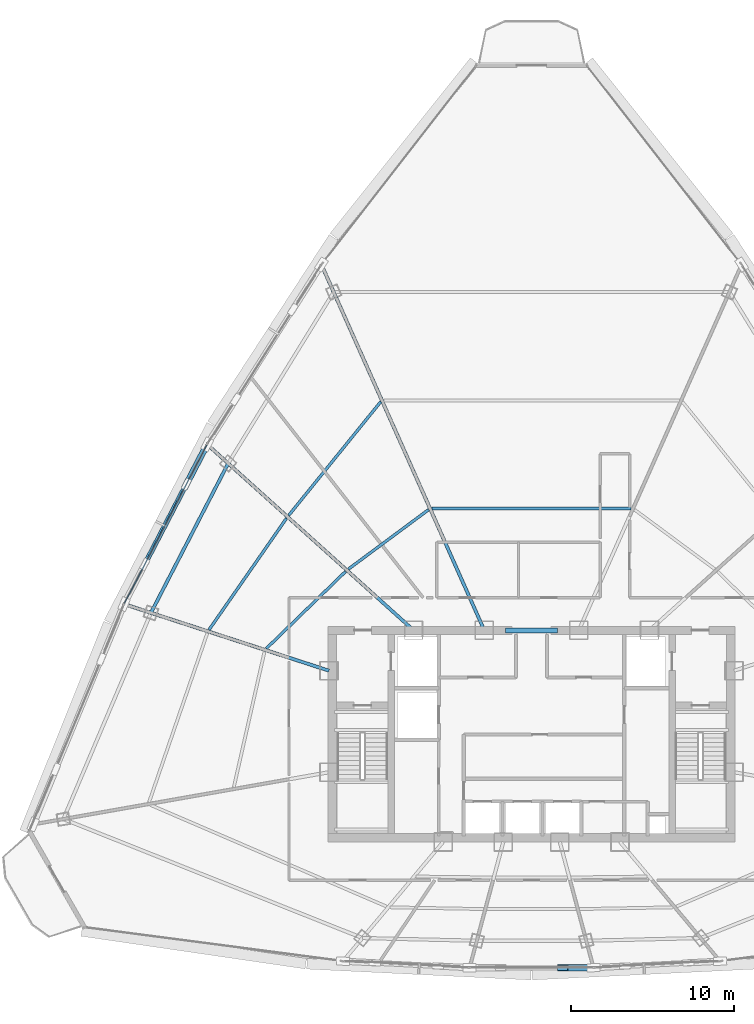
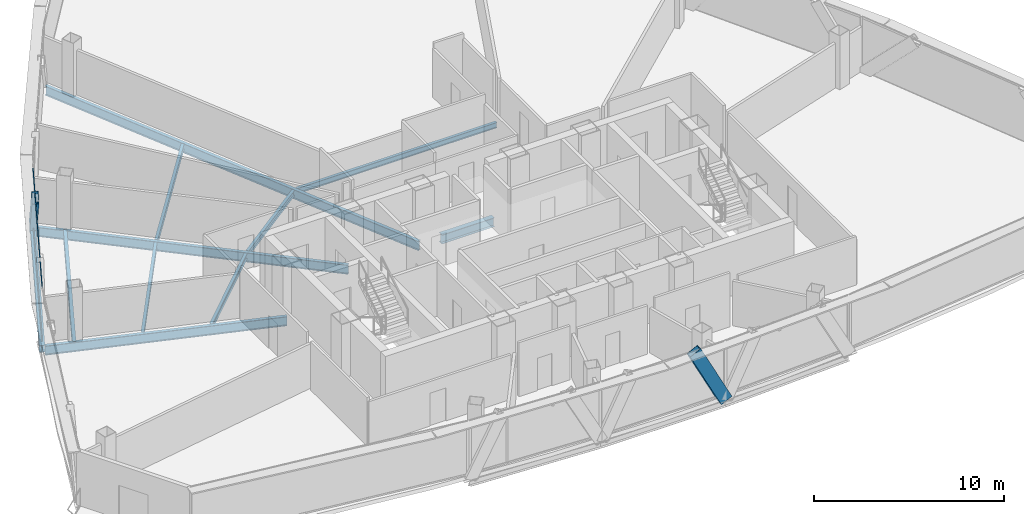
# One storey, part 9 of 35: 11 beams, 4 members, 1 element without a shape of its own.
"""IFC4 building model written with IfcOpenShell, lengths in metres."""

from ifc_helpers import new_model, si_unit, direction, frame, origin, origin_2d, place, context, subcontext, project, spatial, hollow_rectangle, i_section, extrude, source, transform, mapped, material, layer, layer_set, material_profile, profile_set, type_object, element, aggregate, save


model = new_model("IFC4")

# Units and contexts
model_context = context("Model", 3, precision=1e-05, world=origin(), true_north=direction((0.0, 1.0)))
body_context = subcontext(model_context, "Body", "Model", "MODEL_VIEW")
ifc_project = project(units=[si_unit("LENGTHUNIT", "METRE"), si_unit("AREAUNIT", "SQUARE_METRE"), si_unit("VOLUMEUNIT", "CUBIC_METRE"), si_unit("PLANEANGLEUNIT", "RADIAN"), si_unit("MASSUNIT", "GRAM", prefix="KILO"), si_unit("THERMODYNAMICTEMPERATUREUNIT", "KELVIN"), si_unit("POWERUNIT", "WATT")], contexts=[model_context])

# Site, building, storey
site_placement = place(None, origin())
site = spatial("IfcSite", under=ifc_project, at=site_placement, CompositionType="ELEMENT")
building_placement = place(site_placement, origin())
building = spatial("IfcBuilding", under=site, at=building_placement, Name="Yunzhuo Pagoda Commons", CompositionType="ELEMENT")
storey_placement = place(building_placement, frame((0.0, 0.0, 303.669921875)))
storey = spatial("IfcBuildingStorey", under=building, at=storey_placement, Name="L76", CompositionType="ELEMENT", Elevation=303.669921875)

# Beams
ifc_material_1 = material(Name="Structural steel Q420B", Category="steel")
ifc_material_profile_1 = material_profile(ifc_material_1, i_section(OverallWidth=0.300048828125, OverallDepth=0.587890625, WebThickness=0.011962890625, FlangeThickness=0.02001953125, at=origin_2d()), Name="Structural steel Q420B")
ifc_profile_set_1 = profile_set([ifc_material_profile_1], Name="Structural steel Q420B")
beam_type_1 = type_object("IfcBeamType", Name="B-CPL Beam HM 588x300x12x20", PredefinedType="BEAM", material=ifc_profile_set_1)
shared_shape_1 = source(origin(), body_context, "Body", "SweptSolid", [
    extrude(i_section(OverallWidth=0.300048828125, OverallDepth=0.587890625, WebThickness=0.011962890625, FlangeThickness=0.02001953125, at=origin_2d()), origin(), (0.0, 0.0, 1.0), 3.2001953125),
])
beam_1_placement = place(storey_placement, frame((46.39990234375, 40.199951171875, -0.553955078125), z_axis=(1.0, 0.0, 0.0), x_axis=(0.0, 1.0, 0.0)))
element("IfcBeam", 1, at=beam_1_placement, inside=storey, type_object=beam_type_1, Name="L76 core coupling girder", PredefinedType="BEAM", context=body_context, shape_type="MappedRepresentation", body=[
    mapped(shared_shape_1, transform((0.0, 0.0, 0.0), scale=1.0)),
])
ifc_material_2 = material(Name="Structural steel Q355B", Category="steel")
ifc_material_profile_2 = material_profile(ifc_material_2, i_section(OverallWidth=0.199951171875, OverallDepth=0.60009765625, WebThickness=0.010986328125, FlangeThickness=0.01708984375, at=origin_2d()), Name="Structural steel Q355B")
ifc_profile_set_2 = profile_set([ifc_material_profile_2], Name="Structural steel Q355B")
beam_type_2 = type_object("IfcBeamType", Name="B-RG3 Beam HN 600x200x11x17", PredefinedType="BEAM", material=ifc_profile_set_2)
shared_shape_2 = source(origin(), body_context, "Body", "SweptSolid", [
    extrude(i_section(OverallWidth=0.199951171875, OverallDepth=0.60009765625, WebThickness=0.010986328125, FlangeThickness=0.01708984375, at=origin_2d()), origin(), (0.0, 0.0, 1.0), 10.3017578125),
])
beam_2_placement = place(storey_placement, frame((29.4267578125, 50.423583984375, -0.559814453125), z_axis=(-0.459070867827, -0.888399650108, 0.0), x_axis=(0.888399650108, -0.459070867827, 0.0)))
element("IfcBeam", 2, at=beam_2_placement, inside=storey, type_object=beam_type_2, Name="L76 column-ring beam 10", PredefinedType="BEAM", context=body_context, shape_type="MappedRepresentation", body=[
    mapped(shared_shape_2, transform((0.0, 0.0, 0.0), scale=1.0)),
])
ifc_material_profile_3 = material_profile(ifc_material_2, i_section(OverallWidth=0.175048828125, OverallDepth=0.35009765625, WebThickness=0.007080078125, FlangeThickness=0.010986328125, at=origin_2d()), Name="Structural steel Q355B")
ifc_profile_set_3 = profile_set([ifc_material_profile_3], Name="Structural steel Q355B")
beam_type_3 = type_object("IfcBeamType", Name="B-JS2 Joist HN 350x175x7x11", PredefinedType="JOIST", material=ifc_profile_set_3)
shared_shape_3 = source(origin(), body_context, "Body", "SweptSolid", [
    extrude(i_section(OverallWidth=0.175048828125, OverallDepth=0.35009765625, WebThickness=0.007080078125, FlangeThickness=0.010986328125, at=origin_2d()), origin(), (0.0, 0.0, 1.0), 6.767333984375),
])
beam_3_placement = place(storey_placement, frame((36.611083984375, 43.80029296875, -0.434814453125), z_axis=(-0.717207253673, -0.696859925149, 0.0), x_axis=(0.696859925149, -0.717207253673, 0.0)))
element("IfcBeam", 3, at=beam_3_placement, inside=storey, type_object=beam_type_3, Name="L76 composite ring joist 1.10", PredefinedType="JOIST", context=body_context, shape_type="MappedRepresentation", body=[
    mapped(shared_shape_3, transform((0.0, 0.0, 0.0), scale=1.0)),
])
shared_shape_4 = source(origin(), body_context, "Body", "SweptSolid", [
    extrude(i_section(OverallWidth=0.175048828125, OverallDepth=0.35009765625, WebThickness=0.007080078125, FlangeThickness=0.010986328125, at=origin_2d()), origin(), (0.0, 0.0, 1.0), 8.31103515625),
])
beam_4_placement = place(storey_placement, frame((32.994384765625, 47.0576171875, -0.434814453125), z_axis=(-0.570615989364, -0.821217019236, 0.0), x_axis=(0.821217019236, -0.570615989364, 0.0)))
element("IfcBeam", 4, at=beam_4_placement, inside=storey, type_object=beam_type_3, Name="L76 composite ring joist 2.10", PredefinedType="JOIST", context=body_context, shape_type="MappedRepresentation", body=[
    mapped(shared_shape_4, transform((0.0, 0.0, 0.0), scale=1.0)),
])
shared_shape_5 = source(origin(), body_context, "Body", "SweptSolid", [
    extrude(i_section(OverallWidth=0.175048828125, OverallDepth=0.35009765625, WebThickness=0.007080078125, FlangeThickness=0.010986328125, at=origin_2d()), origin(), (0.0, 0.0, 1.0), 6.109619140625),
])
beam_5_placement = place(storey_placement, frame((41.6943359375, 47.5869140625, -0.434814453125), z_axis=(-0.803396474468, -0.595444459888, 0.0), x_axis=(0.595444459888, -0.803396474468, 0.0)))
element("IfcBeam", 5, at=beam_5_placement, inside=storey, type_object=beam_type_3, Name="L76 composite ring joist 1.9", PredefinedType="JOIST", context=body_context, shape_type="MappedRepresentation", body=[
    mapped(shared_shape_5, transform((0.0, 0.0, 0.0), scale=1.0)),
])
shared_shape_6 = source(origin(), body_context, "Body", "SweptSolid", [
    extrude(i_section(OverallWidth=0.175048828125, OverallDepth=0.35009765625, WebThickness=0.007080078125, FlangeThickness=0.010986328125, at=origin_2d()), origin(), (0.0, 0.0, 1.0), 8.9462890625),
])
beam_6_placement = place(storey_placement, frame((38.763916015625, 54.19287109375, -0.434814453125), z_axis=(-0.629455685791, -0.777036382434, 0.0), x_axis=(0.777036382434, -0.629455685791, 0.0)))
element("IfcBeam", 6, at=beam_6_placement, inside=storey, type_object=beam_type_3, Name="L76 composite ring joist 2.9", PredefinedType="JOIST", context=body_context, shape_type="MappedRepresentation", body=[
    mapped(shared_shape_6, transform((0.0, 0.0, 0.0), scale=1.0)),
])
shared_shape_7 = source(origin(), body_context, "Body", "SweptSolid", [
    extrude(i_section(OverallWidth=0.175048828125, OverallDepth=0.35009765625, WebThickness=0.007080078125, FlangeThickness=0.010986328125, at=origin_2d()), origin(), (0.0, 0.0, 1.0), 12.19677734375),
])
beam_7_placement = place(storey_placement, frame((54.098388671875, 47.6552734375, -0.434814453125), z_axis=(-1.0, 0.0, 0.0), x_axis=(0.0, -1.0, 0.0)))
element("IfcBeam", 7, at=beam_7_placement, inside=storey, type_object=beam_type_3, Name="L76 composite ring joist 1.8", PredefinedType="JOIST", context=body_context, shape_type="MappedRepresentation", body=[
    mapped(shared_shape_7, transform((0.0, 0.0, 0.0), scale=1.0)),
])
shared_shape_8 = source(origin(), body_context, "Body", "SweptSolid", [
    extrude(i_section(OverallWidth=0.199951171875, OverallDepth=0.60009765625, WebThickness=0.010986328125, FlangeThickness=0.01708984375, at=origin_2d()), origin(), (0.0, 0.0, 1.0), 13.040771484375),
])
beam_8_placement = place(storey_placement, frame((23.197509765625, 41.7587890625, -0.559814453125), z_axis=(0.951057866972, -0.30901283739, 0.0), x_axis=(0.30901283739, 0.951057866972, 0.0)))
element("IfcBeam", 8, at=beam_8_placement, inside=storey, type_object=beam_type_2, Name="L76 radial floor girder F3C3", PredefinedType="BEAM", context=body_context, shape_type="MappedRepresentation", body=[
    mapped(shared_shape_8, transform((0.0, 0.0, 0.0), scale=1.0)),
])
shared_shape_9 = source(origin(), body_context, "Body", "SweptSolid", [
    extrude(i_section(OverallWidth=0.199951171875, OverallDepth=0.60009765625, WebThickness=0.010986328125, FlangeThickness=0.01708984375, at=origin_2d()), origin(), (0.0, 0.0, 1.0), 16.859619140625),
])
beam_9_placement = place(storey_placement, frame((28.251953125, 51.481201171875, -0.559814453125), z_axis=(0.743143638424, -0.669131924712, 0.0), x_axis=(0.669131924712, 0.743143638424, 0.0)))
element("IfcBeam", 9, at=beam_9_placement, inside=storey, type_object=beam_type_2, Name="L76 radial floor girder F3C2", PredefinedType="BEAM", context=body_context, shape_type="MappedRepresentation", body=[
    mapped(shared_shape_9, transform((0.0, 0.0, 0.0), scale=1.0)),
])
shared_shape_10 = source(origin(), body_context, "Body", "SweptSolid", [
    extrude(i_section(OverallWidth=0.199951171875, OverallDepth=0.60009765625, WebThickness=0.010986328125, FlangeThickness=0.01708984375, at=origin_2d()), origin(), (0.0, 0.0, 1.0), 24.3583984375),
])
beam_10_placement = place(storey_placement, frame((35.198486328125, 62.452392578125, -0.559814453125), z_axis=(0.406738200999, -0.913544764009, 0.0), x_axis=(0.913544764009, 0.406738200999, 0.0)))
element("IfcBeam", 10, at=beam_10_placement, inside=storey, type_object=beam_type_2, Name="L76 radial floor girder F3C1", PredefinedType="BEAM", context=body_context, shape_type="MappedRepresentation", body=[
    mapped(shared_shape_10, transform((0.0, 0.0, 0.0), scale=1.0)),
])
ifc_material_profile_4 = material_profile(ifc_material_2, i_section(OverallWidth=0.300048828125, OverallDepth=0.43994140625, WebThickness=0.010986328125, FlangeThickness=0.01806640625, at=origin_2d()), Name="Structural steel Q355B")
ifc_profile_set_4 = profile_set([ifc_material_profile_4], Name="Structural steel Q355B")
beam_type_4 = type_object("IfcBeamType", Name="B-SP2 Beam HM 440x300x11x18", PredefinedType="BEAM", material=ifc_profile_set_4)
shared_shape_11 = source(origin(), body_context, "Body", "SweptSolid", [
    extrude(i_section(OverallWidth=0.300048828125, OverallDepth=0.43994140625, WebThickness=0.010986328125, FlangeThickness=0.01806640625, at=origin_2d()), origin(), (0.0, 0.0, 1.0), 11.022216796875),
])
beam_11_placement = place(storey_placement, frame((28.13671875, 51.5849609375, -0.47998046875), z_axis=(-0.461491516084, -0.887144622135, 0.0), x_axis=(0.887144622135, -0.461491516084, 0.0)))
element("IfcBeam", 11, at=beam_11_placement, inside=storey, type_object=beam_type_4, Name="L76 facade edge spandrel beam F3.2", PredefinedType="BEAM", context=body_context, shape_type="MappedRepresentation", body=[
    mapped(shared_shape_11, transform((0.0, 0.0, 0.0), scale=1.0)),
])

# Members
ifc_material_profile_5 = material_profile(ifc_material_2, hollow_rectangle(XDim=0.3798828125, YDim=0.719970703125, WallThickness=0.02001953125, at=origin_2d()), Name="Structural steel Q355B")
ifc_profile_set_5 = profile_set([ifc_material_profile_5], Name="Structural steel Q355B")
member_type_1 = type_object("IfcMemberType", Name="M-DL3 Brace BOX 720x380x20", PredefinedType="BRACE", material=ifc_profile_set_5)
shared_shape_12 = source(origin(), body_context, "Body", "SweptSolid", [
    extrude(hollow_rectangle(XDim=0.3798828125, YDim=0.719970703125, WallThickness=0.02001953125, at=origin_2d()), origin(), (0.0, 0.0, 1.0), 4.184326171875),
])
member_1_placement = place(storey_placement, frame((51.792724609375, 19.5458984375, -0.260009765625), z_axis=(-0.453224675304, 0.0, 0.891396316851), x_axis=(0.0, -1.0, 0.0)))
element("IfcMember", 12, at=member_1_placement, inside=storey, type_object=member_type_1, Name="L76 facade diamond brace F1.2R", PredefinedType="BRACE", context=body_context, shape_type="MappedRepresentation", body=[
    mapped(shared_shape_12, transform((0.0, 0.0, 0.0), scale=1.0)),
])
shared_shape_13 = source(origin(), body_context, "Body", "SweptSolid", [
    extrude(hollow_rectangle(XDim=0.3798828125, YDim=0.719970703125, WallThickness=0.02001953125, at=origin_2d()), origin(), (0.0, 0.0, 1.0), 4.637451171875),
])
member_2_placement = place(storey_placement, frame((28.13671875, 51.5849609375, -0.260009765625), z_axis=(-0.274229639101, -0.527137910601, 0.804315689419), x_axis=(0.887135553704, -0.461508948292, 0.0)))
element("IfcMember", 13, at=member_2_placement, inside=storey, type_object=member_type_1, Name="L76 facade diamond brace F3.2L", PredefinedType="BRACE", context=body_context, shape_type="MappedRepresentation", body=[
    mapped(shared_shape_13, transform((0.0, 0.0, 0.0), scale=1.0)),
])

# Curtain wall, members
ifc_material_3 = material(Name="Anodized aluminium 6063-T6", Category="aluminium")
ifc_layer = layer(ifc_material_3, 0.139892578125)
ifc_layer_set = layer_set([ifc_layer], Name="Anodized aluminium 6063-T6")
curtain_wall_type = type_object("IfcCurtainWallType", Name="CW-HI High-Zone Ribbon Curtain Wall", PredefinedType="NOTDEFINED", material=ifc_layer_set)
curtain_wall_placement = place(storey_placement, origin())
curtain_wall = element("IfcCurtainWall", 14, at=curtain_wall_placement, inside=storey, type_object=curtain_wall_type, Name="L76 curtain wall CW-L76-F3B3", PredefinedType="NOTDEFINED")
ifc_material_profile_6 = material_profile(ifc_material_3, hollow_rectangle(XDim=0.054931640625, YDim=0.1201171875, WallThickness=0.00341796875, at=origin_2d()), Name="Anodized aluminium 6063-T6")
ifc_profile_set_6 = profile_set([ifc_material_profile_6], Name="Anodized aluminium 6063-T6")
member_type_2 = type_object("IfcMemberType", Name="CW-HI-T Transom RHS 120x55x3.5", PredefinedType="USERDEFINED", material=ifc_profile_set_6)
shared_shape_14 = source(origin(), body_context, "Body", "SweptSolid", [
    extrude(hollow_rectangle(XDim=0.054931640625, YDim=0.1201171875, WallThickness=0.00341796875, at=origin_2d()), origin(), (0.0, 0.0, 1.0), 10.90234375),
])
member_3_placement = place(storey_placement, frame((28.109130859375, 51.53173828125, 0.027587890625), z_axis=(-0.461505732597, -0.887137226578, 0.0), x_axis=(0.887137226578, -0.461505732597, 0.0)))
member_3 = element("IfcMember", 15, at=member_3_placement, type_object=member_type_2, Name="CW transom 1.1", ObjectType="TRANSOM", PredefinedType="USERDEFINED", context=body_context, shape_type="MappedRepresentation", body=[
    mapped(shared_shape_14, transform((0.0, 0.0, 0.0), scale=1.0)),
])
member_4_placement = place(storey_placement, frame((28.109130859375, 51.53173828125, 3.442626953125), z_axis=(-0.461505732597, -0.887137226578, 0.0), x_axis=(0.887137226578, -0.461505732597, 0.0)))
member_4 = element("IfcMember", 16, at=member_4_placement, type_object=member_type_2, Name="CW transom 1.2", ObjectType="TRANSOM", PredefinedType="USERDEFINED", context=body_context, shape_type="MappedRepresentation", body=[
    mapped(shared_shape_14, transform((0.0, 0.0, 0.0), scale=1.0)),
])
aggregate(curtain_wall, [member_3, member_4])

save(model, "model.ifc")
